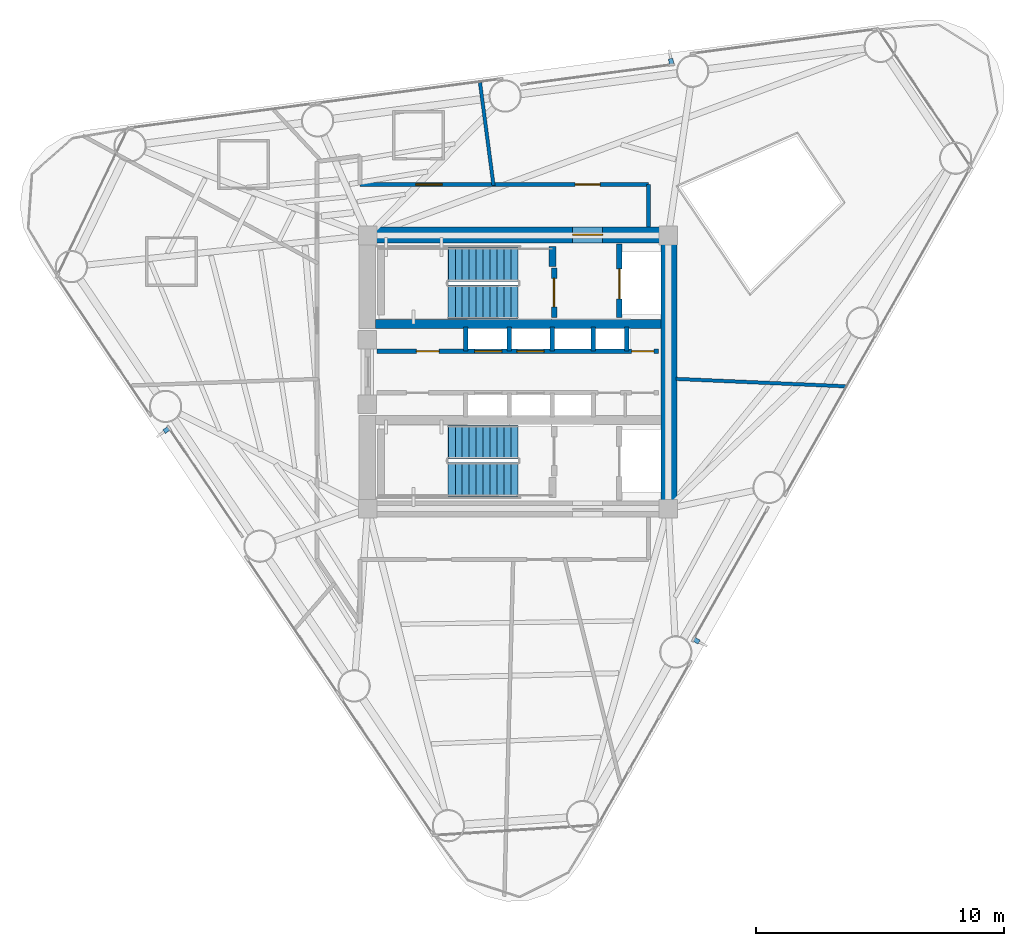
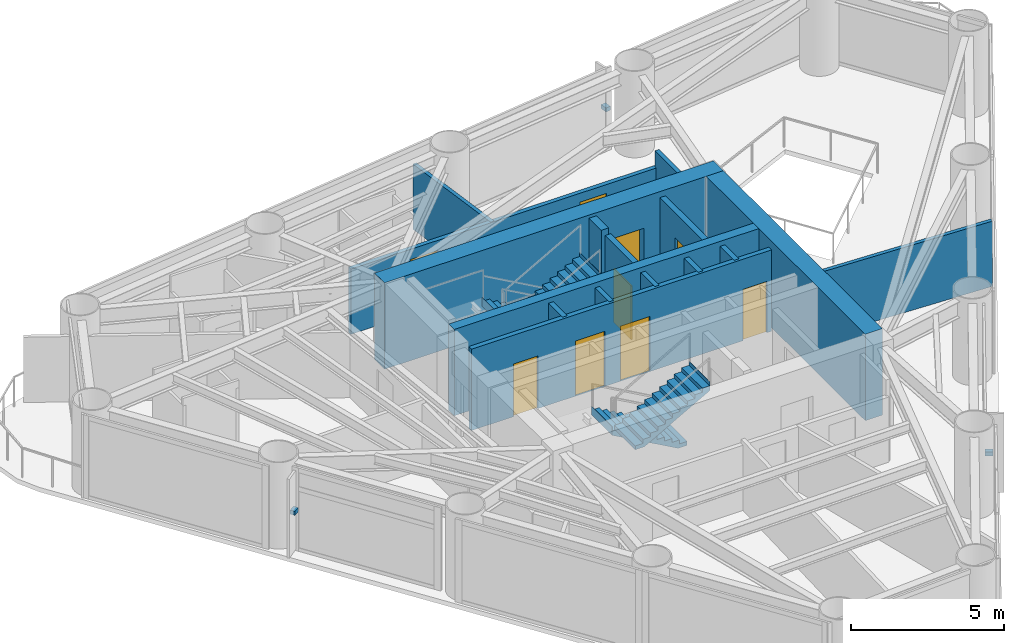
# One storey, part 6 of 9: 16 walls, 9 doors, 4 stair flights, 3 discrete accessories, 9 openings, 2 elements without a shape of their own.
"""IFC4 building model written with IfcOpenShell, lengths in metres."""

from ifc_helpers import new_model, si_unit, direction, frame, frame_2d, origin, origin_2d, place, context, subcontext, project, spatial, polyline, rectangle, outline, extrude, source, transform, mapped, material, layer, layer_set, type_object, element, fill, aggregate, save


model = new_model("IFC4")

# Units and contexts
model_context = context("Model", 3, precision=1e-05, world=origin(), true_north=direction((0.0, 1.0)))
body_context = subcontext(model_context, "Body", "Model", "MODEL_VIEW")
ifc_project = project(units=[si_unit("LENGTHUNIT", "METRE"), si_unit("AREAUNIT", "SQUARE_METRE"), si_unit("VOLUMEUNIT", "CUBIC_METRE"), si_unit("PLANEANGLEUNIT", "RADIAN"), si_unit("MASSUNIT", "GRAM", prefix="KILO")], contexts=[model_context])

# Site, building, storey
site_placement = place(None, origin())
site = spatial("IfcSite", under=ifc_project, at=site_placement, CompositionType="ELEMENT")
building_placement = place(site_placement, origin())
building = spatial("IfcBuilding", under=site, at=building_placement, Name="Yunling Apex Tower", CompositionType="ELEMENT")
storey_placement = place(building_placement, frame((0.0, 0.0, 172.550048828125)))
storey = spatial("IfcBuildingStorey", under=building, at=storey_placement, Name="L42", CompositionType="ELEMENT", Elevation=172.550048828125)

# Wall, opening, door
ifc_material_1 = material(Name="Concrete C50", Category="concrete")
ifc_layer_1 = layer(ifc_material_1, 0.64990234375)
ifc_layer_set_1 = layer_set([ifc_layer_1], Name="Concrete C50")
wall_type_1 = type_object("IfcWallType", Name="WL-COR-2", PredefinedType="SHEAR", material=ifc_layer_set_1)
wall_1_placement = place(storey_placement, frame((-6.39990234375, 5.52490234375, 0.0), z_axis=(0.0, 0.0, 1.0), x_axis=(1.0, 0.0, 0.0)))
wall_1 = element("IfcWall", 1, at=wall_1_placement, inside=storey, type_object=wall_type_1, Name="L42 North Core Shear Wall", PredefinedType="SHEAR", context=body_context, shape_type="SweptSolid", body=[
    extrude(rectangle(XDim=12.7998046875, YDim=0.64990234375, at=frame_2d((6.39990234375, 0.0))), origin(), (0.0, 0.0, 1.0), 3.449951171875),
])
opening_1_placement = place(wall_1_placement, frame((8.60009765625, 0.0, 0.0)))
opening_1 = element("IfcOpeningElement", 2, at=opening_1_placement, cuts=wall_1, Name="Opening DR-FFL-1", PredefinedType="OPENING", context=body_context, shape_type="SweptSolid", body=[
    extrude(rectangle(XDim=1.199951171875, YDim=2.199951171875, at=frame_2d((0.60009765625, 1.10009765625))), frame((0.0, 0.3349609375, 0.0), z_axis=(0.0, -1.0, 0.0), x_axis=(1.0, 0.0, 0.0)), (0.0, 0.0, 1.0), 0.669921875),
])
ifc_material_2 = material(Name="Steel Q355B", Category="steel")
door_type_1 = type_object("IfcDoorType", Name="DR-FFL-1", OperationType="NOTDEFINED", PredefinedType="DOOR", material=ifc_material_2)
door_1_placement = place(opening_1_placement, origin())
door_1 = element("IfcDoor", 3, at=door_1_placement, inside=storey, type_object=door_type_1, Name="L42 North Firefighting Lobby Door", OperationType="SINGLE_SWING_LEFT", OverallHeight=2.199951171875, OverallWidth=1.199951171875, PredefinedType="DOOR", context=body_context, shape_type="SweptSolid", body=[
    extrude(rectangle(XDim=1.199951171875, YDim=2.199951171875, at=frame_2d((0.60009765625, 1.10009765625))), frame((0.0, 0.02490234375, 0.0), z_axis=(0.0, -1.0, 0.0), x_axis=(1.0, 0.0, 0.0)), (0.0, 0.0, 1.0), 0.050048828125),
])
fill(opening_1, door_1)

# Walls
wall_2_placement = place(storey_placement, frame((6.074951171875, -5.199951171875, 0.0), z_axis=(0.0, 0.0, 1.0), x_axis=(0.0, 1.0, 0.0)))
element("IfcWall", 4, at=wall_2_placement, inside=storey, type_object=wall_type_1, Name="L42 East Core Shear Wall", PredefinedType="SHEAR", context=body_context, shape_type="SweptSolid", body=[
    extrude(rectangle(XDim=10.39990234375, YDim=0.64990234375, at=frame_2d((5.199951171875, 0.0))), origin(), (0.0, 0.0, 1.0), 3.449951171875),
])
ifc_material_3 = material(Name="Concrete C40", Category="concrete")
ifc_layer_2 = layer(ifc_material_3, 0.360107421875)
ifc_layer_set_2 = layer_set([ifc_layer_2], Name="Concrete C40")
wall_type_2 = type_object("IfcWallType", Name="WL-COR-4", PredefinedType="SHEAR", material=ifc_layer_set_2)
wall_3_placement = place(storey_placement, frame((-5.75, 1.93994140625, 0.0), z_axis=(0.0, 0.0, 1.0), x_axis=(1.0, 0.0, 0.0)))
element("IfcWall", 5, at=wall_3_placement, inside=storey, type_object=wall_type_2, Name="L42 North Internal Core Shear Wall", PredefinedType="SHEAR", context=body_context, shape_type="SweptSolid", body=[
    extrude(rectangle(XDim=11.5, YDim=0.360107421875, at=frame_2d((5.75, 0.0))), origin(), (0.0, 0.0, 1.0), 3.449951171875),
])
ifc_layer_3 = layer(ifc_material_3, 0.280029296875)
ifc_layer_set_3 = layer_set([ifc_layer_3], Name="Concrete C40")
wall_type_3 = type_object("IfcWallType", Name="WL-COR-8", PredefinedType="SHEAR", material=ifc_layer_set_3)
wall_4_placement = place(storey_placement, frame((1.3798828125, 4.25, 0.0), z_axis=(0.0, 0.0, 1.0), x_axis=(0.0, 1.0, 0.0)))
element("IfcWall", 6, at=wall_4_placement, inside=storey, type_object=wall_type_3, Name="L42 ST-1 East Landing Bearing Pier", PredefinedType="SHEAR", context=body_context, shape_type="SweptSolid", body=[
    extrude(rectangle(XDim=0.800048828125, YDim=0.280029296875, at=frame_2d((0.39990234375, 0.0))), origin(), (0.0, 0.0, 1.0), 3.449951171875),
])

# Wall, openings, doors
ifc_material_4 = material(Name="Gypsum board acoustic partition")
ifc_layer_4 = layer(ifc_material_4, 0.159912109375)
ifc_layer_set_4 = layer_set([ifc_layer_4], Name="Gypsum board acoustic partition")
wall_type_4 = type_object("IfcWallType", Name="WL-PRT-1", PredefinedType="PARTITIONING", material=ifc_layer_set_4)
wall_5_placement = place(storey_placement, frame((-6.360107421875, 7.550048828125, 0.0), z_axis=(0.0, 0.0, 1.0), x_axis=(1.0, 0.0, 0.0)))
wall_5 = element("IfcWall", 7, at=wall_5_placement, inside=storey, type_object=wall_type_4, Name="WL-CORR-L42-06", PredefinedType="PARTITIONING", context=body_context, shape_type="SweptSolid", body=[
    extrude(rectangle(XDim=11.610107421875, YDim=0.159912109375, at=frame_2d((5.80517578125, 0.0))), origin(), (0.0, 0.0, 1.0), 2.60498046875),
])
opening_2_placement = place(wall_5_placement, frame((2.246337890625, 0.0, 0.0)))
opening_2 = element("IfcOpeningElement", 8, at=opening_2_placement, cuts=wall_5, Name="Opening DR-FL-1", PredefinedType="OPENING", context=body_context, shape_type="SweptSolid", body=[
    extrude(rectangle(XDim=1.050048828125, YDim=2.199951171875, at=frame_2d((0.52490234375, 1.10009765625))), frame((0.0, 0.08984375, 0.0), z_axis=(0.0, -1.0, 0.0), x_axis=(1.0, 0.0, 0.0)), (0.0, 0.0, 1.0), 0.179931640625),
])
opening_3_placement = place(wall_5_placement, frame((8.662109375, 0.0, 0.0)))
opening_3 = element("IfcOpeningElement", 9, at=opening_3_placement, cuts=wall_5, Name="Opening DR-OFF-1", PredefinedType="OPENING", context=body_context, shape_type="SweptSolid", body=[
    extrude(rectangle(XDim=1.0, YDim=2.25, at=frame_2d((0.5, 1.125))), frame((0.0, 0.08984375, 0.0), z_axis=(0.0, -1.0, 0.0), x_axis=(1.0, 0.0, 0.0)), (0.0, 0.0, 1.0), 0.179931640625),
])
ifc_material_5 = material(Name="Timber fire-rated leaf", Category="wood")
door_type_2 = type_object("IfcDoorType", Name="DR-FL-1", OperationType="NOTDEFINED", PredefinedType="DOOR", material=ifc_material_5)
door_2_placement = place(opening_2_placement, origin())
door_2 = element("IfcDoor", 10, at=door_2_placement, inside=storey, type_object=door_type_2, Name="L42 Hotel Suite Door", OperationType="SINGLE_SWING_RIGHT", OverallHeight=2.199951171875, OverallWidth=1.050048828125, PredefinedType="DOOR", context=body_context, shape_type="SweptSolid", body=[
    extrude(rectangle(XDim=1.050048828125, YDim=2.199951171875, at=frame_2d((0.52490234375, 1.10009765625))), frame((0.0, 0.02490234375, 0.0), z_axis=(0.0, -1.0, 0.0), x_axis=(1.0, 0.0, 0.0)), (0.0, 0.0, 1.0), 0.050048828125),
])
fill(opening_2, door_2)
ifc_material_6 = material(Name="Bronze anodised aluminium", Category="aluminium")
door_type_3 = type_object("IfcDoorType", Name="DR-OFF-1", OperationType="NOTDEFINED", PredefinedType="DOOR", material=ifc_material_6)
door_3_placement = place(opening_3_placement, origin())
door_3 = element("IfcDoor", 11, at=door_3_placement, inside=storey, type_object=door_type_3, Name="L42 Club Lounge Door", OperationType="SINGLE_SWING_LEFT", OverallHeight=2.25, OverallWidth=1.0, PredefinedType="DOOR", context=body_context, shape_type="SweptSolid", body=[
    extrude(rectangle(XDim=1.0, YDim=2.25, at=frame_2d((0.5, 1.125))), frame((0.0, 0.02490234375, 0.0), z_axis=(0.0, -1.0, 0.0), x_axis=(1.0, 0.0, 0.0)), (0.0, 0.0, 1.0), 0.050048828125),
])
fill(opening_3, door_3)

# Walls
wall_6_placement = place(storey_placement, frame((5.25, 7.550048828125, 0.0), z_axis=(0.0, 0.0, 1.0), x_axis=(0.0, -1.0, 0.0)))
element("IfcWall", 12, at=wall_6_placement, inside=storey, type_object=wall_type_4, Name="WL-CORR-L42-07", PredefinedType="PARTITIONING", context=body_context, shape_type="SweptSolid", body=[
    extrude(rectangle(XDim=1.699951171875, YDim=0.159912109375, at=frame_2d((0.85009765625, 0.0))), origin(), (0.0, 0.0, 1.0), 3.25),
])
ifc_layer_5 = layer(ifc_material_4, 0.139892578125)
ifc_layer_set_5 = layer_set([ifc_layer_5], Name="Gypsum board acoustic partition")
wall_type_5 = type_object("IfcWallType", Name="WL-PRT-2", PredefinedType="PARTITIONING", material=ifc_layer_set_5)
wall_7_placement = place(storey_placement, frame((6.360107421875, -0.277587890625, 0.0), z_axis=(0.0, 0.0, 1.0), x_axis=(0.999047983793, -0.043624833281, 0.0)))
element("IfcWall", 13, at=wall_7_placement, inside=storey, type_object=wall_type_5, Name="WL-RAD-L42-01", PredefinedType="PARTITIONING", context=body_context, shape_type="SweptSolid", body=[
    extrude(rectangle(XDim=6.833251953125, YDim=0.139892578125, at=frame_2d((3.41650390625, 0.0))), origin(), (0.0, 0.0, 1.0), 2.60498046875),
])
wall_8_placement = place(storey_placement, frame((-0.98876953125, 7.510009765625, 0.0), z_axis=(0.0, 0.0, 1.0), x_axis=(-0.130484717168, 0.991450320785, 0.0)))
element("IfcWall", 14, at=wall_8_placement, inside=storey, type_object=wall_type_5, Name="WL-RAD-L42-02", PredefinedType="PARTITIONING", context=body_context, shape_type="SweptSolid", body=[
    extrude(rectangle(XDim=4.181640625, YDim=0.139892578125, at=frame_2d((2.0908203125, 0.0))), origin(), (0.0, 0.0, 1.0), 2.60498046875),
])

# Wall, opening, door
ifc_material_7 = material(Name="Autoclaved aerated concrete masonry", Category="masonry")
ifc_layer_6 = layer(ifc_material_7, 0.219970703125)
ifc_layer_set_6 = layer_set([ifc_layer_6], Name="Autoclaved aerated concrete masonry")
wall_type_6 = type_object("IfcWallType", Name="WL-SHF-1", PredefinedType="PLUMBINGWALL", material=ifc_layer_set_6)
wall_9_placement = place(storey_placement, frame((1.449951171875, 2.199951171875, 0.0), z_axis=(0.0, 0.0, 1.0), x_axis=(0.0, 1.0, 0.0)))
wall_9 = element("IfcWall", 15, at=wall_9_placement, inside=storey, type_object=wall_type_6, Name="WL-ST1-E-L42", PredefinedType="PLUMBINGWALL", context=body_context, shape_type="SweptSolid", body=[
    extrude(rectangle(XDim=1.97998046875, YDim=0.219970703125, at=frame_2d((0.989990234375, 0.0))), origin(), (0.0, 0.0, 1.0), 3.25),
])
opening_4_placement = place(wall_9_placement, frame((0.419921875, 0.0, 0.0)))
opening_4 = element("IfcOpeningElement", 16, at=opening_4_placement, cuts=wall_9, Name="Opening DR-ST-1", PredefinedType="OPENING", context=body_context, shape_type="SweptSolid", body=[
    extrude(rectangle(XDim=1.14990234375, YDim=2.14990234375, at=frame_2d((0.574951171875, 1.074951171875))), frame((0.0, 0.1201171875, 0.0), z_axis=(0.0, -1.0, 0.0), x_axis=(1.0, 0.0, 0.0)), (0.0, 0.0, 1.0), 0.239990234375),
])
door_type_4 = type_object("IfcDoorType", Name="DR-ST-1", OperationType="NOTDEFINED", PredefinedType="DOOR", material=ifc_material_2)
door_4_placement = place(opening_4_placement, origin())
door_4 = element("IfcDoor", 17, at=door_4_placement, inside=storey, type_object=door_type_4, Name="L42 Stair ST-1 Fire Door", OperationType="SINGLE_SWING_LEFT", OverallHeight=2.14990234375, OverallWidth=1.14990234375, PredefinedType="DOOR", context=body_context, shape_type="SweptSolid", body=[
    extrude(rectangle(XDim=1.14990234375, YDim=2.14990234375, at=frame_2d((0.574951171875, 1.074951171875))), frame((0.0, 0.02490234375, 0.0), z_axis=(0.0, -1.0, 0.0), x_axis=(1.0, 0.0, 0.0)), (0.0, 0.0, 1.0), 0.050048828125),
])
fill(opening_4, door_4)

wall_10_placement = place(storey_placement, frame((4.080078125, 2.199951171875, 0.0), z_axis=(0.0, 0.0, 1.0), x_axis=(0.0, 1.0, 0.0)))
wall_10 = element("IfcWall", 18, at=wall_10_placement, inside=storey, type_object=wall_type_6, Name="WL-FFL1-W-L42", PredefinedType="PLUMBINGWALL", context=body_context, shape_type="SweptSolid", body=[
    extrude(rectangle(XDim=2.949951171875, YDim=0.219970703125, at=frame_2d((1.47509765625, 0.0))), origin(), (0.0, 0.0, 1.0), 3.25),
])
opening_5_placement = place(wall_10_placement, frame((0.75, 0.0, 0.0)))
opening_5 = element("IfcOpeningElement", 19, at=opening_5_placement, cuts=wall_10, Name="Opening LD-FFL-1", PredefinedType="OPENING", context=body_context, shape_type="SweptSolid", body=[
    extrude(rectangle(XDim=1.199951171875, YDim=2.25, at=frame_2d((0.60009765625, 1.125))), frame((0.0, 0.1201171875, 0.0), z_axis=(0.0, -1.0, 0.0), x_axis=(1.0, 0.0, 0.0)), (0.0, 0.0, 1.0), 0.239990234375),
])
door_type_5 = type_object("IfcDoorType", Name="LD-FFL-1", OperationType="DOUBLE_DOOR_SLIDING", PredefinedType="DOOR", material=ifc_material_2)
door_5_placement = place(opening_5_placement, origin())
door_5 = element("IfcDoor", 20, at=door_5_placement, inside=storey, type_object=door_type_5, Name="L42 Lift FFL-1 Landing Door", OperationType="DOUBLE_DOOR_SLIDING", OverallHeight=2.25, OverallWidth=1.199951171875, PredefinedType="DOOR", context=body_context, shape_type="SweptSolid", body=[
    extrude(rectangle(XDim=1.199951171875, YDim=2.25, at=frame_2d((0.60009765625, 1.125))), frame((0.0, 0.02490234375, 0.0), z_axis=(0.0, -1.0, 0.0), x_axis=(1.0, 0.0, 0.0)), (0.0, 0.0, 1.0), 0.050048828125),
])
fill(opening_5, door_5)

# Walls
ifc_layer_7 = layer(ifc_material_7, 0.179931640625)
ifc_layer_set_7 = layer_set([ifc_layer_7], Name="Autoclaved aerated concrete masonry")
wall_type_7 = type_object("IfcWallType", Name="WL-SHF-2", PredefinedType="PLUMBINGWALL", material=ifc_layer_set_7)
for number, where, z_axis, x_axis, name in (
    (21, (-2.10009765625, 0.840087890625, 0.0), (0.0, 0.0, 1.0), (0.0, 1.0, 0.0), "WL-BNK-LM-N-L42"),
    (22, (-0.35009765625, 0.840087890625, 0.0), (0.0, 0.0, 1.0), (0.0, 1.0, 0.0), "WL-DIV-M12-L42"),
    (23, (1.3798828125, 0.840087890625, 0.0), (0.0, 0.0, 1.0), (0.0, 1.0, 0.0), "WL-BNK-MH-N-L42"),
    (24, (3.02001953125, 0.840087890625, 0.0), (0.0, 0.0, 1.0), (0.0, 1.0, 0.0), "WL-DIV-H13-L42"),
    (25, (4.3798828125, 0.840087890625, 0.0), (0.0, 0.0, 1.0), (0.0, 1.0, 0.0), "WL-END-H3E-L42"),
):
    element("IfcWall", number, at=place(storey_placement, frame(where, z_axis=z_axis, x_axis=x_axis)), inside=storey, type_object=wall_type_7, Name=name, PredefinedType="PLUMBINGWALL", context=body_context, shape_type="SweptSolid", body=[
        extrude(rectangle(XDim=0.97998046875, YDim=0.179931640625, at=frame_2d((0.489990234375, 0.0))), origin(), (0.0, 0.0, 1.0), 3.25),
    ])

# Wall, openings, doors
wall_11_placement = place(storey_placement, frame((-5.679931640625, 0.840087890625, 0.0), z_axis=(0.0, 0.0, 1.0), x_axis=(1.0, 0.0, 0.0)))
wall_11 = element("IfcWall", 26, at=wall_11_placement, inside=storey, type_object=wall_type_7, Name="WL-LOB-N-L42", PredefinedType="PLUMBINGWALL", context=body_context, shape_type="SweptSolid", body=[
    extrude(rectangle(XDim=11.329833984375, YDim=0.179931640625, at=frame_2d((5.6650390625, 0.0))), origin(), (0.0, 0.0, 1.0), 3.25),
])
opening_6_placement = place(wall_11_placement, frame((1.580078125, 0.0, 0.0)))
opening_6 = element("IfcOpeningElement", 27, at=opening_6_placement, cuts=wall_11, Name="Opening DR-WC-1", PredefinedType="OPENING", context=body_context, shape_type="SweptSolid", body=[
    extrude(rectangle(XDim=0.919921875, YDim=2.10009765625, at=frame_2d((0.4599609375, 1.050048828125))), frame((0.0, 0.10009765625, 0.0), z_axis=(0.0, -1.0, 0.0), x_axis=(1.0, 0.0, 0.0)), (0.0, 0.0, 1.0), 0.199951171875),
])
opening_7_placement = place(wall_11_placement, frame((3.929931640625, 0.0, 0.0)))
opening_7 = element("IfcOpeningElement", 28, at=opening_7_placement, cuts=wall_11, Name="Opening LD-PAS-1", PredefinedType="OPENING", context=body_context, shape_type="SweptSolid", body=[
    extrude(rectangle(XDim=1.10009765625, YDim=2.199951171875, at=frame_2d((0.550048828125, 1.10009765625))), frame((0.0, 0.10009765625, 0.0), z_axis=(0.0, -1.0, 0.0), x_axis=(1.0, 0.0, 0.0)), (0.0, 0.0, 1.0), 0.199951171875),
])
opening_8_placement = place(wall_11_placement, frame((5.6298828125, 0.0, 0.0)))
opening_8 = element("IfcOpeningElement", 29, at=opening_8_placement, cuts=wall_11, Name="Opening LD-PAS-1", PredefinedType="OPENING", context=body_context, shape_type="SweptSolid", body=[
    extrude(rectangle(XDim=1.10009765625, YDim=2.199951171875, at=frame_2d((0.550048828125, 1.10009765625))), frame((0.0, 0.10009765625, 0.0), z_axis=(0.0, -1.0, 0.0), x_axis=(1.0, 0.0, 0.0)), (0.0, 0.0, 1.0), 0.199951171875),
])
opening_9_placement = place(wall_11_placement, frame((10.25, 0.0, 0.0)))
opening_9 = element("IfcOpeningElement", 30, at=opening_9_placement, cuts=wall_11, Name="Opening DR-SHF-1", PredefinedType="OPENING", context=body_context, shape_type="SweptSolid", body=[
    extrude(rectangle(XDim=0.89990234375, YDim=2.050048828125, at=frame_2d((0.449951171875, 1.02490234375))), frame((0.0, 0.10009765625, 0.0), z_axis=(0.0, -1.0, 0.0), x_axis=(1.0, 0.0, 0.0)), (0.0, 0.0, 1.0), 0.199951171875),
])
door_type_6 = type_object("IfcDoorType", Name="DR-SHF-1", OperationType="NOTDEFINED", PredefinedType="DOOR", material=ifc_material_2)
door_6_placement = place(opening_9_placement, origin())
door_6 = element("IfcDoor", 31, at=door_6_placement, inside=storey, type_object=door_type_6, Name="L42 Floor Supply Store Door", OperationType="SINGLE_SWING_RIGHT", OverallHeight=2.050048828125, OverallWidth=0.89990234375, PredefinedType="DOOR", context=body_context, shape_type="SweptSolid", body=[
    extrude(rectangle(XDim=0.89990234375, YDim=2.050048828125, at=frame_2d((0.449951171875, 1.02490234375))), frame((0.0, 0.02490234375, 0.0), z_axis=(0.0, -1.0, 0.0), x_axis=(1.0, 0.0, 0.0)), (0.0, 0.0, 1.0), 0.050048828125),
])
fill(opening_9, door_6)
ifc_material_8 = material(Name="Timber moisture-resistant leaf", Category="wood")
door_type_7 = type_object("IfcDoorType", Name="DR-WC-1", OperationType="NOTDEFINED", PredefinedType="DOOR", material=ifc_material_8)
door_7_placement = place(opening_6_placement, origin())
door_7 = element("IfcDoor", 32, at=door_7_placement, inside=storey, type_object=door_type_7, Name="L42 Floor Staff WC Door", OperationType="SINGLE_SWING_LEFT", OverallHeight=2.10009765625, OverallWidth=0.919921875, PredefinedType="DOOR", context=body_context, shape_type="SweptSolid", body=[
    extrude(rectangle(XDim=0.919921875, YDim=2.10009765625, at=frame_2d((0.4599609375, 1.050048828125))), frame((0.0, 0.02490234375, 0.0), z_axis=(0.0, -1.0, 0.0), x_axis=(1.0, 0.0, 0.0)), (0.0, 0.0, 1.0), 0.050048828125),
])
fill(opening_6, door_7)
ifc_material_9 = material(Name="Silver anodised aluminium", Category="aluminium")
door_type_8 = type_object("IfcDoorType", Name="LD-PAS-1", OperationType="DOUBLE_DOOR_SLIDING", PredefinedType="DOOR", material=ifc_material_9)
door_8_placement = place(opening_7_placement, origin())
door_8 = element("IfcDoor", 33, at=door_8_placement, inside=storey, type_object=door_type_8, Name="L42 Lift PL-M1 Landing Door", OperationType="DOUBLE_DOOR_SLIDING", OverallHeight=2.199951171875, OverallWidth=1.10009765625, PredefinedType="DOOR", context=body_context, shape_type="SweptSolid", body=[
    extrude(rectangle(XDim=1.10009765625, YDim=2.199951171875, at=frame_2d((0.550048828125, 1.10009765625))), frame((0.0, 0.02490234375, 0.0), z_axis=(0.0, -1.0, 0.0), x_axis=(1.0, 0.0, 0.0)), (0.0, 0.0, 1.0), 0.050048828125),
])
fill(opening_7, door_8)
door_9_placement = place(opening_8_placement, origin())
door_9 = element("IfcDoor", 34, at=door_9_placement, inside=storey, type_object=door_type_8, Name="L42 Lift PL-M2 Landing Door", OperationType="DOUBLE_DOOR_SLIDING", OverallHeight=2.199951171875, OverallWidth=1.10009765625, PredefinedType="DOOR", context=body_context, shape_type="SweptSolid", body=[
    extrude(rectangle(XDim=1.10009765625, YDim=2.199951171875, at=frame_2d((0.550048828125, 1.10009765625))), frame((0.0, 0.02490234375, 0.0), z_axis=(0.0, -1.0, 0.0), x_axis=(1.0, 0.0, 0.0)), (0.0, 0.0, 1.0), 0.050048828125),
])
fill(opening_8, door_9)

# Stair, stair flights
stair_type = type_object("IfcStairType", Name="ST-TWR-2", PredefinedType="HALF_TURN_STAIR", material=ifc_material_3)
stair_1_placement = place(storey_placement, origin())
stair_1 = element("IfcStair", 35, at=stair_1_placement, inside=storey, type_object=stair_type, Name="L42 North Core Smokeproof Exit Stair ST-1", PredefinedType="HALF_TURN_STAIR")
stair_flight_type = type_object("IfcStairFlightType", Name="SFL-TWR-2", PredefinedType="STRAIGHT", material=ifc_material_3)
stair_flight_1_placement = place(storey_placement, frame((-0.010009765625, 4.330078125, 0.0), z_axis=(0.0, 0.0, 1.0), x_axis=(-1.0, 0.0, 0.0)))
stair_flight_1 = element("IfcStairFlight", 36, at=stair_flight_1_placement, type_object=stair_flight_type, Name="ST-1 flight 1", NumberOfRisers=11, NumberOfTreads=10, PredefinedType="STRAIGHT", RiserHeight=0.156818182, TreadLength=0.28, context=body_context, shape_type="SweptSolid", body=[
    extrude(outline(polyline([(-0.011962890625, 0.0), (-0.011962890625, 0.15673828125), (0.0, 0.15673828125), (0.280029296875, 0.15673828125), (0.280029296875, 0.313720703125), (0.56005859375, 0.313720703125), (0.56005859375, 0.470458984375), (0.840087890625, 0.470458984375), (0.840087890625, 0.627197265625), (1.1201171875, 0.627197265625), (1.1201171875, 0.7841796875), (1.39990234375, 0.7841796875), (1.39990234375, 0.94091796875), (1.679931640625, 0.94091796875), (1.679931640625, 1.09765625), (1.9599609375, 1.09765625), (1.9599609375, 1.254638671875), (2.239990234375, 1.254638671875), (2.239990234375, 1.411376953125), (2.52001953125, 1.411376953125), (2.52001953125, 1.568115234375), (2.800048828125, 1.568115234375), (2.800048828125, 1.72509765625), (2.81201171875, 1.72509765625), (2.81201171875, 1.385009765625), (0.3271484375, 0.0), (-0.011962890625, 0.0)])), frame((0.0, 0.68017578125, 0.0), z_axis=(0.0, -1.0, 0.0), x_axis=(1.0, 0.0, 0.0)), (0.0, 0.0, 1.0), 1.360107421875),
])
stair_flight_2_placement = place(storey_placement, frame((-2.81005859375, 2.820068359375, 1.724853515625), z_axis=(0.0, 0.0, 1.0), x_axis=(1.0, 0.0, 0.0)))
stair_flight_2 = element("IfcStairFlight", 37, at=stair_flight_2_placement, type_object=stair_flight_type, Name="ST-1 flight 2", NumberOfRisers=11, NumberOfTreads=10, PredefinedType="STRAIGHT", RiserHeight=0.156818182, TreadLength=0.28, context=body_context, shape_type="SweptSolid", body=[
    extrude(outline(polyline([(-0.011962890625, 0.0), (-0.011962890625, 0.15673828125), (0.0, 0.15673828125), (0.280029296875, 0.15673828125), (0.280029296875, 0.313720703125), (0.56005859375, 0.313720703125), (0.56005859375, 0.470458984375), (0.840087890625, 0.470458984375), (0.840087890625, 0.627197265625), (1.1201171875, 0.627197265625), (1.1201171875, 0.7841796875), (1.39990234375, 0.7841796875), (1.39990234375, 0.94091796875), (1.679931640625, 0.94091796875), (1.679931640625, 1.09765625), (1.9599609375, 1.09765625), (1.9599609375, 1.254638671875), (2.239990234375, 1.254638671875), (2.239990234375, 1.411376953125), (2.52001953125, 1.411376953125), (2.52001953125, 1.568115234375), (2.800048828125, 1.568115234375), (2.800048828125, 1.72509765625), (2.81201171875, 1.72509765625), (2.81201171875, 1.385009765625), (0.3271484375, 0.0), (-0.011962890625, 0.0)])), frame((0.0, 0.68017578125, 0.0), z_axis=(0.0, -1.0, 0.0), x_axis=(1.0, 0.0, 0.0)), (0.0, 0.0, 1.0), 1.360107421875),
])
aggregate(stair_1, [stair_flight_1, stair_flight_2])

stair_2_placement = place(storey_placement, origin())
stair_2 = element("IfcStair", 38, at=stair_2_placement, inside=storey, type_object=stair_type, Name="L42 South Core Smokeproof Exit Stair ST-2", PredefinedType="HALF_TURN_STAIR")
stair_flight_3_placement = place(storey_placement, frame((-0.010009765625, -2.820068359375, 0.0), z_axis=(0.0, 0.0, 1.0), x_axis=(-1.0, 0.0, 0.0)))
stair_flight_3 = element("IfcStairFlight", 39, at=stair_flight_3_placement, type_object=stair_flight_type, Name="ST-2 flight 1", NumberOfRisers=11, NumberOfTreads=10, PredefinedType="STRAIGHT", RiserHeight=0.156818182, TreadLength=0.28, context=body_context, shape_type="SweptSolid", body=[
    extrude(outline(polyline([(-0.011962890625, 0.0), (-0.011962890625, 0.15673828125), (0.0, 0.15673828125), (0.280029296875, 0.15673828125), (0.280029296875, 0.313720703125), (0.56005859375, 0.313720703125), (0.56005859375, 0.470458984375), (0.840087890625, 0.470458984375), (0.840087890625, 0.627197265625), (1.1201171875, 0.627197265625), (1.1201171875, 0.7841796875), (1.39990234375, 0.7841796875), (1.39990234375, 0.94091796875), (1.679931640625, 0.94091796875), (1.679931640625, 1.09765625), (1.9599609375, 1.09765625), (1.9599609375, 1.254638671875), (2.239990234375, 1.254638671875), (2.239990234375, 1.411376953125), (2.52001953125, 1.411376953125), (2.52001953125, 1.568115234375), (2.800048828125, 1.568115234375), (2.800048828125, 1.72509765625), (2.81201171875, 1.72509765625), (2.81201171875, 1.385009765625), (0.3271484375, 0.0), (-0.011962890625, 0.0)])), frame((0.0, 0.68017578125, 0.0), z_axis=(0.0, -1.0, 0.0), x_axis=(1.0, 0.0, 0.0)), (0.0, 0.0, 1.0), 1.360107421875),
])
stair_flight_4_placement = place(storey_placement, frame((-2.81005859375, -4.330078125, 1.724853515625), z_axis=(0.0, 0.0, 1.0), x_axis=(1.0, 0.0, 0.0)))
stair_flight_4 = element("IfcStairFlight", 40, at=stair_flight_4_placement, type_object=stair_flight_type, Name="ST-2 flight 2", NumberOfRisers=11, NumberOfTreads=10, PredefinedType="STRAIGHT", RiserHeight=0.156818182, TreadLength=0.28, context=body_context, shape_type="SweptSolid", body=[
    extrude(outline(polyline([(-0.011962890625, 0.0), (-0.011962890625, 0.15673828125), (0.0, 0.15673828125), (0.280029296875, 0.15673828125), (0.280029296875, 0.313720703125), (0.56005859375, 0.313720703125), (0.56005859375, 0.470458984375), (0.840087890625, 0.470458984375), (0.840087890625, 0.627197265625), (1.1201171875, 0.627197265625), (1.1201171875, 0.7841796875), (1.39990234375, 0.7841796875), (1.39990234375, 0.94091796875), (1.679931640625, 0.94091796875), (1.679931640625, 1.09765625), (1.9599609375, 1.09765625), (1.9599609375, 1.254638671875), (2.239990234375, 1.254638671875), (2.239990234375, 1.411376953125), (2.52001953125, 1.411376953125), (2.52001953125, 1.568115234375), (2.800048828125, 1.568115234375), (2.800048828125, 1.72509765625), (2.81201171875, 1.72509765625), (2.81201171875, 1.385009765625), (0.3271484375, 0.0), (-0.011962890625, 0.0)])), frame((0.0, 0.68017578125, 0.0), z_axis=(0.0, -1.0, 0.0), x_axis=(1.0, 0.0, 0.0)), (0.0, 0.0, 1.0), 1.360107421875),
])
aggregate(stair_2, [stair_flight_3, stair_flight_4])

# Discrete accessories
discrete_accessory_type = type_object("IfcDiscreteAccessoryType", Name="BK-FIN-1", PredefinedType="BRACKET", material=ifc_material_2)
shared_shape = source(origin(), body_context, "Body", "SweptSolid", [
    extrude(rectangle(XDim=0.179931640625, YDim=0.260009765625, at=origin_2d()), origin(), (0.0, 0.0, 1.0), 0.159912109375),
])
for number, where, z_axis, x_axis, name in (
    (41, (7.177490234375, -10.814697265625, 1.55517578125), (0.0, 0.0, 1.0), (0.493031062956, 0.87001170737, 0.0), "CW-L42-F1-B2-BRK-01-1"),
    (42, (6.164794921875, 12.493408203125, 1.55517578125), (0.0, 0.0, 1.0), (-0.9913534953, -0.131218319443, 0.0), "CW-L42-F2-B2-BRK-01-1"),
    (43, (-14.15087890625, -2.33056640625, 1.55517578125), (0.0, 0.0, 1.0), (0.559192903471, -0.829037572555, 0.0), "CW-L42-F3-B2-BRK-01-1"),
):
    element("IfcDiscreteAccessory", number, at=place(storey_placement, frame(where, z_axis=z_axis, x_axis=x_axis)), inside=storey, type_object=discrete_accessory_type, Name=name, PredefinedType="BRACKET", context=body_context, shape_type="MappedRepresentation", body=[
        mapped(shared_shape, transform((0.0, 0.0, 0.0), scale=1.0)),
    ])

save(model, "model.ifc")
